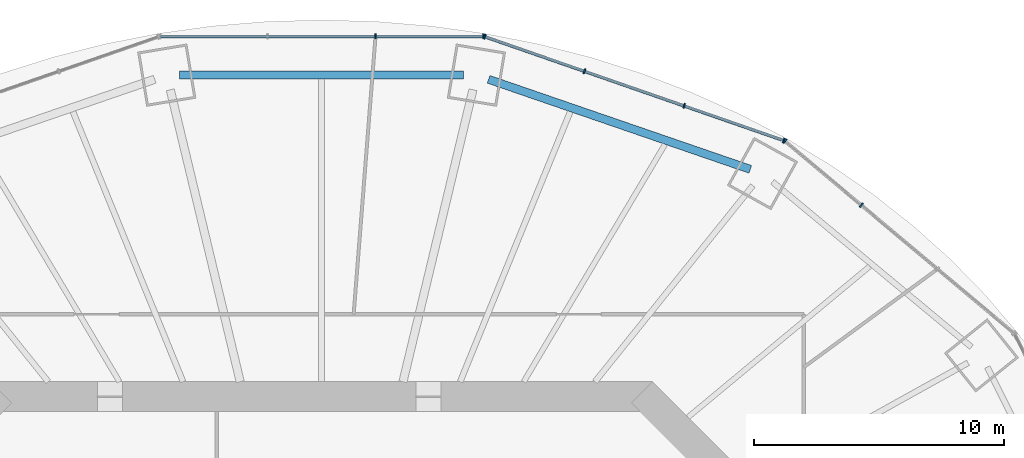
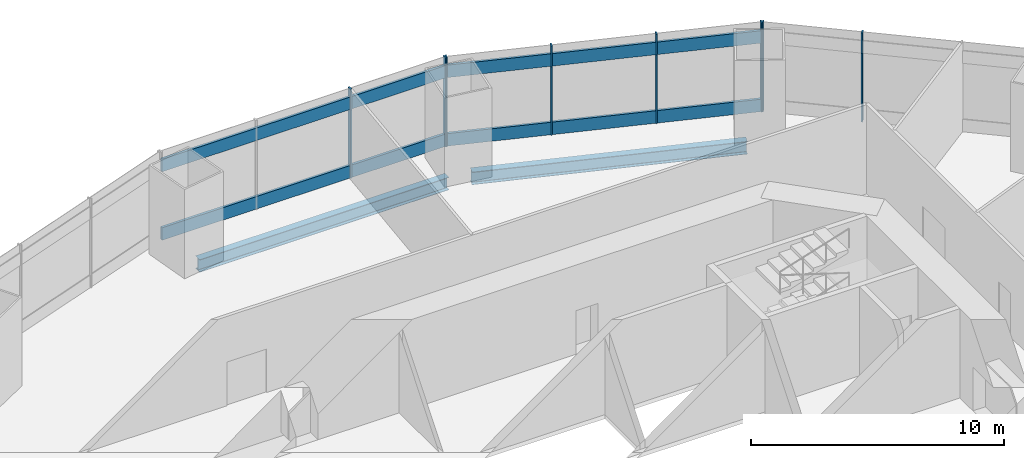
# One storey, part 9 of 17: 20 members, 2 beams, 6 elements without a shape of their own.
"""IFC4 building model written with IfcOpenShell, lengths in metres."""

from ifc_helpers import new_model, si_unit, direction, frame, origin, origin_2d, place, context, subcontext, project, spatial, rectangle, i_section, extrude, material, material_profile, profile_set, type_object, element, aggregate, save


model = new_model("IFC4")

# Units and contexts
model_context = context("Model", 3, precision=1e-05, world=origin(), true_north=direction((0.0, 1.0)))
body_context = subcontext(model_context, "Body", "Model", "MODEL_VIEW")
ifc_project = project(units=[si_unit("LENGTHUNIT", "METRE"), si_unit("AREAUNIT", "SQUARE_METRE"), si_unit("VOLUMEUNIT", "CUBIC_METRE"), si_unit("PLANEANGLEUNIT", "RADIAN"), si_unit("MASSUNIT", "GRAM", prefix="KILO")], contexts=[model_context])

# Site, building, storey
site_placement = place(None, origin())
site = spatial("IfcSite", under=ifc_project, at=site_placement, CompositionType="ELEMENT")
building_placement = place(site_placement, origin())
building = spatial("IfcBuilding", under=site, at=building_placement, Name="Marenthal Gate Tower", CompositionType="ELEMENT")
storey_placement = place(building_placement, frame((0.0, 0.0, 145.050048828125)))
storey = spatial("IfcBuildingStorey", under=building, at=storey_placement, Name="L31", CompositionType="ELEMENT", Elevation=145.050048828125)

# Curtain wall, members
ifc_material_1 = material(Name="Aluminium and glass", Category="aluminium")
curtain_wall_type_1 = type_object("IfcCurtainWallType", Name="Curtain wall amenity", PredefinedType="NOTDEFINED", material=ifc_material_1)
curtain_wall_1_placement = place(storey_placement, origin())
curtain_wall_1 = element("IfcCurtainWall", 1, at=curtain_wall_1_placement, inside=storey, type_object=curtain_wall_type_1, Name="Curtain wall L31 bay 2", PredefinedType="NOTDEFINED")
ifc_material_2 = material(Name="Aluminium", Category="aluminium")
ifc_material_profile_1 = material_profile(ifc_material_2, rectangle(XDim=0.199951171875, YDim=0.06005859375, at=origin_2d()), Name="60x200 aluminium mullion")
ifc_profile_set_1 = profile_set([ifc_material_profile_1], Name="Aluminium")
member_type_1 = type_object("IfcMemberType", Name="Mullion 60x200 amenity", PredefinedType="MULLION", material=ifc_profile_set_1)
member_1_placement = place(storey_placement, frame((21.597900390625, 20.66796875, 0.0), z_axis=(0.0, 0.0, 1.0), x_axis=(-0.642510826857, -0.766276606305, 0.0)))
member_1 = element("IfcMember", 2, at=member_1_placement, type_object=member_type_1, Name="Mullion L31 bay 2.3", PredefinedType="MULLION", context=body_context, shape_type="SweptSolid", body=[
    extrude(rectangle(XDim=0.199951171875, YDim=0.06005859375, at=origin_2d()), origin(), (0.0, 0.0, 1.0), 3.300048828125),
])
member_2_placement = place(storey_placement, frame((18.546875, 23.22607421875, 0.0), z_axis=(0.0, 0.0, 1.0), x_axis=(-0.642510826857, -0.766276606305, 0.0)))
member_2 = element("IfcMember", 3, at=member_2_placement, type_object=member_type_1, Name="Mullion L31 bay 2.4", PredefinedType="MULLION", context=body_context, shape_type="SweptSolid", body=[
    extrude(rectangle(XDim=0.199951171875, YDim=0.06005859375, at=origin_2d()), origin(), (0.0, 0.0, 1.0), 3.300048828125),
])
aggregate(curtain_wall_1, [member_1, member_2])

curtain_wall_2_placement = place(storey_placement, origin())
curtain_wall_2 = element("IfcCurtainWall", 4, at=curtain_wall_2_placement, inside=storey, type_object=curtain_wall_type_1, Name="Curtain wall L31 bay 3", PredefinedType="NOTDEFINED")
member_3_placement = place(storey_placement, frame((18.495361328125, 23.255126953125, 0.0), z_axis=(0.0, 0.0, 1.0), x_axis=(-0.328088938475, -0.944646837951, 0.0)))
member_3 = element("IfcMember", 5, at=member_3_placement, type_object=member_type_1, Name="Mullion L31 bay 3.1", PredefinedType="MULLION", context=body_context, shape_type="SweptSolid", body=[
    extrude(rectangle(XDim=0.199951171875, YDim=0.06005859375, at=origin_2d()), origin(), (0.0, 0.0, 1.0), 3.300048828125),
])
member_4_placement = place(storey_placement, frame((14.508056640625, 24.64013671875, 0.0), z_axis=(0.0, 0.0, 1.0), x_axis=(-0.328088938475, -0.944646837951, 0.0)))
member_4 = element("IfcMember", 6, at=member_4_placement, type_object=member_type_1, Name="Mullion L31 bay 3.2", PredefinedType="MULLION", context=body_context, shape_type="SweptSolid", body=[
    extrude(rectangle(XDim=0.199951171875, YDim=0.06005859375, at=origin_2d()), origin(), (0.0, 0.0, 1.0), 3.300048828125),
])
member_5_placement = place(storey_placement, frame((10.5205078125, 26.025146484375, 0.0), z_axis=(0.0, 0.0, 1.0), x_axis=(-0.328088938475, -0.944646837951, 0.0)))
member_5 = element("IfcMember", 7, at=member_5_placement, type_object=member_type_1, Name="Mullion L31 bay 3.3", PredefinedType="MULLION", context=body_context, shape_type="SweptSolid", body=[
    extrude(rectangle(XDim=0.199951171875, YDim=0.06005859375, at=origin_2d()), origin(), (0.0, 0.0, 1.0), 3.300048828125),
])
member_6_placement = place(storey_placement, frame((6.532958984375, 27.409912109375, 0.0), z_axis=(0.0, 0.0, 1.0), x_axis=(-0.328088938475, -0.944646837951, 0.0)))
member_6 = element("IfcMember", 8, at=member_6_placement, type_object=member_type_1, Name="Mullion L31 bay 3.4", PredefinedType="MULLION", context=body_context, shape_type="SweptSolid", body=[
    extrude(rectangle(XDim=0.199951171875, YDim=0.06005859375, at=origin_2d()), origin(), (0.0, 0.0, 1.0), 3.300048828125),
])

curtain_wall_3_placement = place(storey_placement, origin())
curtain_wall_3 = element("IfcCurtainWall", 9, at=curtain_wall_3_placement, inside=storey, type_object=curtain_wall_type_1, Name="Curtain wall L31 bay 4", PredefinedType="NOTDEFINED")
member_7_placement = place(storey_placement, frame((6.474609375, 27.419921875, 0.0), z_axis=(0.0, 0.0, 1.0), x_axis=(0.0, -1.0, 0.0)))
member_7 = element("IfcMember", 10, at=member_7_placement, type_object=member_type_1, Name="Mullion L31 bay 4.1", PredefinedType="MULLION", context=body_context, shape_type="SweptSolid", body=[
    extrude(rectangle(XDim=0.199951171875, YDim=0.06005859375, at=origin_2d()), origin(), (0.0, 0.0, 1.0), 3.300048828125),
])
member_8_placement = place(storey_placement, frame((2.158203125, 27.419921875, 0.0), z_axis=(0.0, 0.0, 1.0), x_axis=(0.0, -1.0, 0.0)))
member_8 = element("IfcMember", 11, at=member_8_placement, type_object=member_type_1, Name="Mullion L31 bay 4.2", PredefinedType="MULLION", context=body_context, shape_type="SweptSolid", body=[
    extrude(rectangle(XDim=0.199951171875, YDim=0.06005859375, at=origin_2d()), origin(), (0.0, 0.0, 1.0), 3.300048828125),
])

ifc_material_3 = material(Name="Aluminium and glass", Category="aluminium")
curtain_wall_type_2 = type_object("IfcCurtainWallType", Name="Curtain wall crown clad", PredefinedType="NOTDEFINED", material=ifc_material_3)
curtain_wall_4_placement = place(storey_placement, origin())
curtain_wall_4 = element("IfcCurtainWall", 12, at=curtain_wall_4_placement, inside=storey, type_object=curtain_wall_type_2, Name="Curtain wall L31 bay 2 head band", PredefinedType="NOTDEFINED")
ifc_material_4 = material(Name="Aluminium", Category="aluminium")
ifc_material_profile_2 = material_profile(ifc_material_4, rectangle(XDim=0.199951171875, YDim=0.06005859375, at=origin_2d()), Name="60x200 aluminium mullion")
ifc_profile_set_2 = profile_set([ifc_material_profile_2], Name="Aluminium")
member_type_2 = type_object("IfcMemberType", Name="Mullion 60x200 crown clad", PredefinedType="MULLION", material=ifc_profile_set_2)
member_9_placement = place(storey_placement, frame((21.597900390625, 20.66796875, 3.300048828125), z_axis=(0.0, 0.0, 1.0), x_axis=(-0.642510826857, -0.766276606305, 0.0)))
member_9 = element("IfcMember", 13, at=member_9_placement, type_object=member_type_2, Name="Mullion L31 bay 2.3", PredefinedType="MULLION", context=body_context, shape_type="SweptSolid", body=[
    extrude(rectangle(XDim=0.199951171875, YDim=0.06005859375, at=origin_2d()), origin(), (0.0, 0.0, 1.0), 1.0),
])
member_10_placement = place(storey_placement, frame((18.546875, 23.22607421875, 3.300048828125), z_axis=(0.0, 0.0, 1.0), x_axis=(-0.642510826857, -0.766276606305, 0.0)))
member_10 = element("IfcMember", 14, at=member_10_placement, type_object=member_type_2, Name="Mullion L31 bay 2.4", PredefinedType="MULLION", context=body_context, shape_type="SweptSolid", body=[
    extrude(rectangle(XDim=0.199951171875, YDim=0.06005859375, at=origin_2d()), origin(), (0.0, 0.0, 1.0), 1.0),
])
aggregate(curtain_wall_4, [member_9, member_10])

curtain_wall_5_placement = place(storey_placement, origin())
curtain_wall_5 = element("IfcCurtainWall", 15, at=curtain_wall_5_placement, inside=storey, type_object=curtain_wall_type_2, Name="Curtain wall L31 bay 3 head band", PredefinedType="NOTDEFINED")
member_11_placement = place(storey_placement, frame((18.495361328125, 23.255126953125, 3.300048828125), z_axis=(0.0, 0.0, 1.0), x_axis=(-0.328088938475, -0.944646837951, 0.0)))
member_11 = element("IfcMember", 16, at=member_11_placement, type_object=member_type_2, Name="Mullion L31 bay 3.1", PredefinedType="MULLION", context=body_context, shape_type="SweptSolid", body=[
    extrude(rectangle(XDim=0.199951171875, YDim=0.06005859375, at=origin_2d()), origin(), (0.0, 0.0, 1.0), 1.0),
])
member_12_placement = place(storey_placement, frame((14.508056640625, 24.64013671875, 3.300048828125), z_axis=(0.0, 0.0, 1.0), x_axis=(-0.328088938475, -0.944646837951, 0.0)))
member_12 = element("IfcMember", 17, at=member_12_placement, type_object=member_type_2, Name="Mullion L31 bay 3.2", PredefinedType="MULLION", context=body_context, shape_type="SweptSolid", body=[
    extrude(rectangle(XDim=0.199951171875, YDim=0.06005859375, at=origin_2d()), origin(), (0.0, 0.0, 1.0), 1.0),
])
member_13_placement = place(storey_placement, frame((10.5205078125, 26.025146484375, 3.300048828125), z_axis=(0.0, 0.0, 1.0), x_axis=(-0.328088938475, -0.944646837951, 0.0)))
member_13 = element("IfcMember", 18, at=member_13_placement, type_object=member_type_2, Name="Mullion L31 bay 3.3", PredefinedType="MULLION", context=body_context, shape_type="SweptSolid", body=[
    extrude(rectangle(XDim=0.199951171875, YDim=0.06005859375, at=origin_2d()), origin(), (0.0, 0.0, 1.0), 1.0),
])
member_14_placement = place(storey_placement, frame((6.532958984375, 27.409912109375, 3.300048828125), z_axis=(0.0, 0.0, 1.0), x_axis=(-0.328088938475, -0.944646837951, 0.0)))
member_14 = element("IfcMember", 19, at=member_14_placement, type_object=member_type_2, Name="Mullion L31 bay 3.4", PredefinedType="MULLION", context=body_context, shape_type="SweptSolid", body=[
    extrude(rectangle(XDim=0.199951171875, YDim=0.06005859375, at=origin_2d()), origin(), (0.0, 0.0, 1.0), 1.0),
])

curtain_wall_6_placement = place(storey_placement, origin())
curtain_wall_6 = element("IfcCurtainWall", 20, at=curtain_wall_6_placement, inside=storey, type_object=curtain_wall_type_2, Name="Curtain wall L31 bay 4 head band", PredefinedType="NOTDEFINED")
member_15_placement = place(storey_placement, frame((6.474609375, 27.419921875, 3.300048828125), z_axis=(0.0, 0.0, 1.0), x_axis=(0.0, -1.0, 0.0)))
member_15 = element("IfcMember", 21, at=member_15_placement, type_object=member_type_2, Name="Mullion L31 bay 4.1", PredefinedType="MULLION", context=body_context, shape_type="SweptSolid", body=[
    extrude(rectangle(XDim=0.199951171875, YDim=0.06005859375, at=origin_2d()), origin(), (0.0, 0.0, 1.0), 1.0),
])
member_16_placement = place(storey_placement, frame((2.158203125, 27.419921875, 3.300048828125), z_axis=(0.0, 0.0, 1.0), x_axis=(0.0, -1.0, 0.0)))
member_16 = element("IfcMember", 22, at=member_16_placement, type_object=member_type_2, Name="Mullion L31 bay 4.2", PredefinedType="MULLION", context=body_context, shape_type="SweptSolid", body=[
    extrude(rectangle(XDim=0.199951171875, YDim=0.06005859375, at=origin_2d()), origin(), (0.0, 0.0, 1.0), 1.0),
])

# Member
ifc_material_5 = material(Name="Aluminium", Category="aluminium")
ifc_material_profile_3 = material_profile(ifc_material_5, rectangle(XDim=0.1201171875, YDim=0.60009765625, at=origin_2d()), Name="120x600 aluminium transom")
ifc_profile_set_3 = profile_set([ifc_material_profile_3], Name="Aluminium")
member_type_3 = type_object("IfcMemberType", Name="Transom 120x600 amenity", PredefinedType="USERDEFINED", material=ifc_profile_set_3)
member_17_placement = place(storey_placement, frame((18.467041015625, 23.26513671875, 0.300048828125), z_axis=(-0.944647484164, 0.328087077867, 0.0), x_axis=(-0.328087077867, -0.944647484164, 0.0)))
member_17 = element("IfcMember", 23, at=member_17_placement, type_object=member_type_3, Name="Transom L31 bay 3", ObjectType="TRANSOM", PredefinedType="USERDEFINED", context=body_context, shape_type="SweptSolid", body=[
    extrude(rectangle(XDim=0.1201171875, YDim=0.60009765625, at=origin_2d()), origin(), (0.0, 0.0, 1.0), 12.603271484375),
])

aggregate(curtain_wall_2, [member_3, member_4, member_5, member_6, member_17])

member_18_placement = place(storey_placement, frame((6.444580078125, 27.419921875, 0.300048828125), z_axis=(-1.0, 0.0, 0.0), x_axis=(0.0, -1.0, 0.0)))
member_18 = element("IfcMember", 24, at=member_18_placement, type_object=member_type_3, Name="Transom L31 bay 4", ObjectType="TRANSOM", PredefinedType="USERDEFINED", context=body_context, shape_type="SweptSolid", body=[
    extrude(rectangle(XDim=0.1201171875, YDim=0.60009765625, at=origin_2d()), origin(), (0.0, 0.0, 1.0), 12.88916015625),
])

aggregate(curtain_wall_3, [member_7, member_8, member_18])

ifc_material_6 = material(Name="Aluminium", Category="aluminium")
ifc_material_profile_4 = material_profile(ifc_material_6, rectangle(XDim=0.1201171875, YDim=0.60009765625, at=origin_2d()), Name="120x600 aluminium transom")
ifc_profile_set_4 = profile_set([ifc_material_profile_4], Name="Aluminium")
member_type_4 = type_object("IfcMemberType", Name="Transom 120x600 crown clad", PredefinedType="USERDEFINED", material=ifc_profile_set_4)
member_19_placement = place(storey_placement, frame((18.467041015625, 23.26513671875, 3.599853515625), z_axis=(-0.944647484164, 0.328087077867, 0.0), x_axis=(-0.328087077867, -0.944647484164, 0.0)))
member_19 = element("IfcMember", 25, at=member_19_placement, type_object=member_type_4, Name="Transom L31 bay 3", ObjectType="TRANSOM", PredefinedType="USERDEFINED", context=body_context, shape_type="SweptSolid", body=[
    extrude(rectangle(XDim=0.1201171875, YDim=0.60009765625, at=origin_2d()), origin(), (0.0, 0.0, 1.0), 12.603271484375),
])

aggregate(curtain_wall_5, [member_11, member_12, member_13, member_14, member_19])

member_20_placement = place(storey_placement, frame((6.444580078125, 27.419921875, 3.599853515625), z_axis=(-1.0, 0.0, 0.0), x_axis=(0.0, -1.0, 0.0)))
member_20 = element("IfcMember", 26, at=member_20_placement, type_object=member_type_4, Name="Transom L31 bay 4", ObjectType="TRANSOM", PredefinedType="USERDEFINED", context=body_context, shape_type="SweptSolid", body=[
    extrude(rectangle(XDim=0.1201171875, YDim=0.60009765625, at=origin_2d()), origin(), (0.0, 0.0, 1.0), 12.88916015625),
])

aggregate(curtain_wall_6, [member_15, member_16, member_20])

# Beams
ifc_material_7 = material(Name="Steel S355", Category="steel")
ifc_material_profile_5 = material_profile(ifc_material_7, i_section(OverallWidth=0.324951171875, OverallDepth=0.612060546875, WebThickness=0.0126953125, FlangeThickness=0.01904296875, FilletRadius=0.0126953125, at=origin_2d()), Name="W610X155")
ifc_profile_set_5 = profile_set([ifc_material_profile_5], Name="Steel S355")
beam_type = type_object("IfcBeamType", Name="W610X155 beam", PredefinedType="BEAM", material=ifc_profile_set_5)
beam_1_placement = place(storey_placement, frame((17.158447265625, 22.099365234375, -0.506103515625), z_axis=(-0.945616285836, 0.325284244871, 0.0), x_axis=(-0.325284244871, -0.945616285836, 0.0)))
element("IfcBeam", 27, at=beam_1_placement, inside=storey, type_object=beam_type, Name="BM-L31-43", PredefinedType="BEAM", context=body_context, shape_type="SweptSolid", body=[
    extrude(i_section(OverallWidth=0.324951171875, OverallDepth=0.612060546875, WebThickness=0.0126953125, FlangeThickness=0.01904296875, FilletRadius=0.0126953125, at=origin_2d()), origin(), (0.0, 0.0, 1.0), 11.078125),
])
beam_2_placement = place(storey_placement, frame((5.682861328125, 25.8701171875, -0.506103515625), z_axis=(-1.0, 0.0, 0.0), x_axis=(0.0, -1.0, 0.0)))
element("IfcBeam", 28, at=beam_2_placement, inside=storey, type_object=beam_type, Name="BM-L31-44", PredefinedType="BEAM", context=body_context, shape_type="SweptSolid", body=[
    extrude(i_section(OverallWidth=0.324951171875, OverallDepth=0.612060546875, WebThickness=0.0126953125, FlangeThickness=0.01904296875, FilletRadius=0.0126953125, at=origin_2d()), origin(), (0.0, 0.0, 1.0), 11.36572265625),
])

save(model, "model.ifc")
